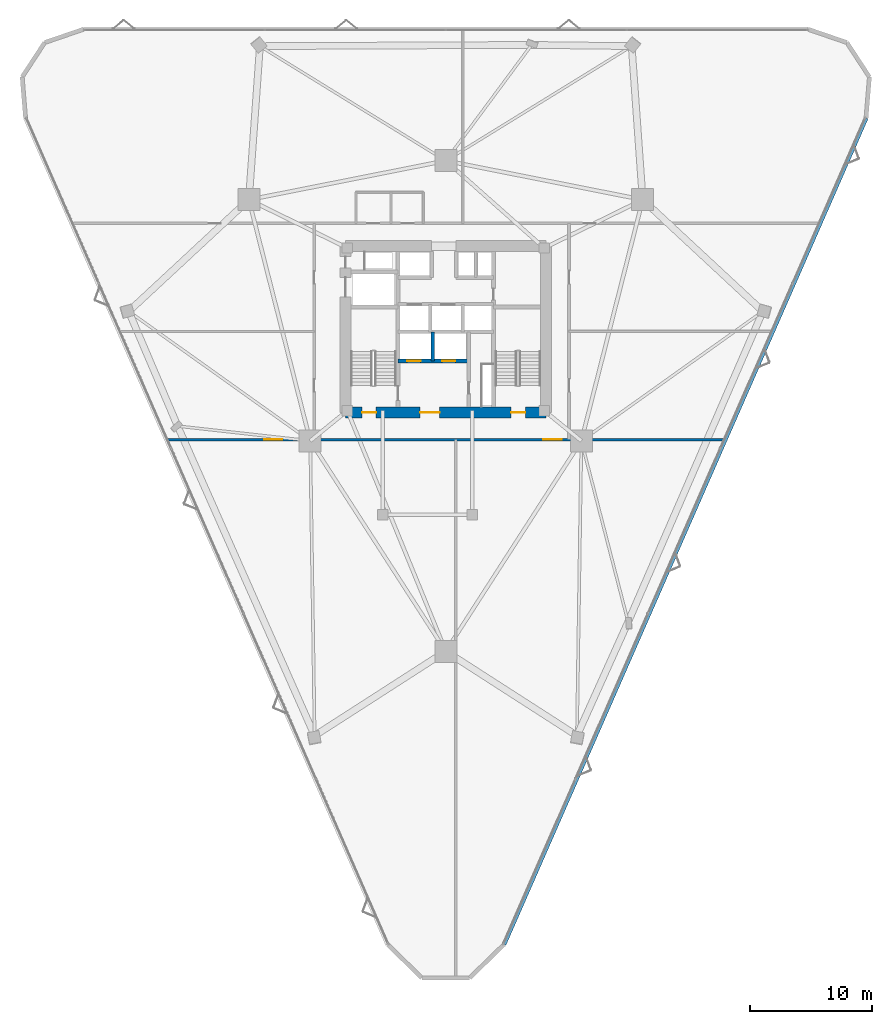
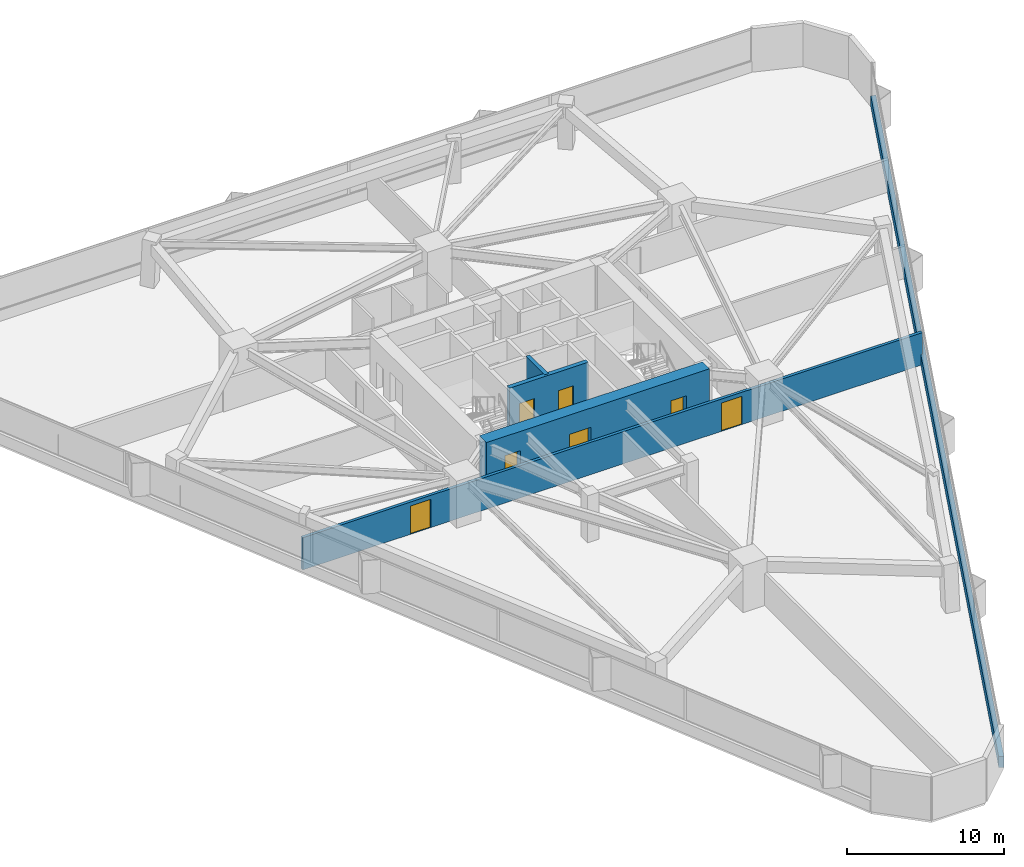
# One storey, part 18 of 20: 7 doors, 5 walls, 7 openings.
"""IFC4 building model written with IfcOpenShell, lengths in metres."""

from ifc_helpers import new_model, si_unit, direction, frame, frame_2d, origin, place, context, subcontext, project, spatial, rectangle, extrude, material, layer, layer_set, type_object, element, fill, save


model = new_model("IFC4")

# Units and contexts
model_context = context("Model", 3, precision=1e-05, world=origin(), true_north=direction((0.0, 1.0)))
body_context = subcontext(model_context, "Body", "Model", "MODEL_VIEW")
ifc_project = project(units=[si_unit("LENGTHUNIT", "METRE"), si_unit("AREAUNIT", "SQUARE_METRE"), si_unit("VOLUMEUNIT", "CUBIC_METRE"), si_unit("PLANEANGLEUNIT", "RADIAN"), si_unit("MASSUNIT", "GRAM", prefix="KILO")], contexts=[model_context])

# Site, building, storey
site_placement = place(None, origin())
site = spatial("IfcSite", under=ifc_project, at=site_placement, CompositionType="ELEMENT")
building_placement = place(site_placement, origin())
building = spatial("IfcBuilding", under=site, at=building_placement, Name="Talyreon Biosciences Tower", CompositionType="ELEMENT")
storey_placement = place(building_placement, frame((0.0, 0.0, 30.10009765625)))
storey = spatial("IfcBuildingStorey", under=building, at=storey_placement, Name="L07", CompositionType="ELEMENT", Elevation=30.10009765625)

# Wall
ifc_material_1 = material(Name="Concrete C50/60", Category="concrete")
ifc_layer_1 = layer(ifc_material_1, 0.280029296875)
ifc_layer_set_1 = layer_set([ifc_layer_1], Name="Concrete C50/60")
wall_type_1 = type_object("IfcWallType", Name="CoreShearWall_280", PredefinedType="SHEAR", material=ifc_layer_set_1)
wall_1_placement = place(storey_placement, frame((64.919921875, 65.39990234375, 0.0), z_axis=(0.0, 0.0, 1.0), x_axis=(0.0, 1.0, 0.0)))
element("IfcWall", 1, at=wall_1_placement, inside=storey, type_object=wall_type_1, Name="L07 Core Shaft Wall SWSHD1", PredefinedType="SHEAR", context=body_context, shape_type="SweptSolid", body=[
    extrude(rectangle(XDim=2.400146484375, YDim=0.280029296875, at=frame_2d((1.2001953125, 0.0))), origin(), (0.0, 0.0, 1.0), 3.64990234375),
])

# Wall, openings, doors
ifc_layer_2 = layer(ifc_material_1, 0.320068359375)
ifc_layer_set_2 = layer_set([ifc_layer_2], Name="Concrete C50/60")
wall_type_2 = type_object("IfcWallType", Name="CoreShearWall_320", PredefinedType="SHEAR", material=ifc_layer_set_2)
wall_2_placement = place(storey_placement, frame((62.090087890625, 65.39990234375, 0.0), z_axis=(0.0, 0.0, 1.0), x_axis=(1.0, 0.0, 0.0)))
wall_2 = element("IfcWall", 2, at=wall_2_placement, inside=storey, type_object=wall_type_2, Name="L07 Core Shaft Wall SWFFN", PredefinedType="SHEAR", context=body_context, shape_type="SweptSolid", body=[
    extrude(rectangle(XDim=5.789794921875, YDim=0.320068359375, at=frame_2d((2.89501953125, 0.0))), origin(), (0.0, 0.0, 1.0), 3.64990234375),
])
opening_1_placement = place(wall_2_placement, frame((0.75, 0.0, 0.0)))
opening_1 = element("IfcOpeningElement", 3, at=opening_1_placement, cuts=wall_2, Name="Opening LD-L07-FL1", PredefinedType="OPENING", context=body_context, shape_type="SweptSolid", body=[
    extrude(rectangle(XDim=1.10009765625, YDim=2.199951171875, at=frame_2d((0.550048828125, 1.10009765625))), frame((0.0, 0.169921875, 0.0), z_axis=(0.0, -1.0, 0.0), x_axis=(1.0, 0.0, 0.0)), (0.0, 0.0, 1.0), 0.340087890625),
])
opening_2_placement = place(wall_2_placement, frame((3.60009765625, 0.0, 0.0)))
opening_2 = element("IfcOpeningElement", 4, at=opening_2_placement, cuts=wall_2, Name="Opening LD-L07-FL2", PredefinedType="OPENING", context=body_context, shape_type="SweptSolid", body=[
    extrude(rectangle(XDim=1.10009765625, YDim=2.199951171875, at=frame_2d((0.550048828125, 1.10009765625))), frame((0.0, 0.169921875, 0.0), z_axis=(0.0, -1.0, 0.0), x_axis=(1.0, 0.0, 0.0)), (0.0, 0.0, 1.0), 0.340087890625),
])
ifc_material_2 = material(Name="Brushed stainless-steel lift landing door", Category="steel")
door_type_1 = type_object("IfcDoorType", Name="LiftSlidingLandingDoor_1100x2200", OperationType="SLIDING_TO_LEFT", PredefinedType="DOOR", material=ifc_material_2)
door_1_placement = place(opening_1_placement, origin())
door_1 = element("IfcDoor", 5, at=door_1_placement, inside=storey, type_object=door_type_1, Name="L07 Core Door LD-L07-FL1", OperationType="SLIDING_TO_LEFT", OverallHeight=2.199951171875, OverallWidth=1.10009765625, PredefinedType="DOOR", context=body_context, shape_type="SweptSolid", body=[
    extrude(rectangle(XDim=1.10009765625, YDim=2.199951171875, at=frame_2d((0.550048828125, 1.10009765625))), frame((0.0, 0.02490234375, 0.0), z_axis=(0.0, -1.0, 0.0), x_axis=(1.0, 0.0, 0.0)), (0.0, 0.0, 1.0), 0.050048828125),
])
fill(opening_1, door_1)
door_2_placement = place(opening_2_placement, origin())
door_2 = element("IfcDoor", 6, at=door_2_placement, inside=storey, type_object=door_type_1, Name="L07 Core Door LD-L07-FL2", OperationType="SLIDING_TO_LEFT", OverallHeight=2.199951171875, OverallWidth=1.10009765625, PredefinedType="DOOR", context=body_context, shape_type="SweptSolid", body=[
    extrude(rectangle(XDim=1.10009765625, YDim=2.199951171875, at=frame_2d((0.550048828125, 1.10009765625))), frame((0.0, 0.02490234375, 0.0), z_axis=(0.0, -1.0, 0.0), x_axis=(1.0, 0.0, 0.0)), (0.0, 0.0, 1.0), 0.050048828125),
])
fill(opening_2, door_2)

ifc_material_3 = material(Name="Concrete C60/75", Category="concrete")
ifc_layer_3 = layer(ifc_material_3, 0.89990234375)
ifc_layer_set_3 = layer_set([ifc_layer_3], Name="Concrete C60/75")
wall_type_3 = type_object("IfcWallType", Name="CoreShearWall_900", PredefinedType="SHEAR", material=ifc_layer_set_3)
wall_3_placement = place(storey_placement, frame((57.800048828125, 61.199951171875, 0.0), z_axis=(0.0, 0.0, 1.0), x_axis=(1.0, 0.0, 0.0)))
wall_3 = element("IfcWall", 7, at=wall_3_placement, inside=storey, type_object=wall_type_3, Name="L07 Core Shear Wall S", PredefinedType="SHEAR", context=body_context, shape_type="SweptSolid", body=[
    extrude(rectangle(XDim=16.39990234375, YDim=0.89990234375, at=frame_2d((8.199951171875, 0.0))), origin(), (0.0, 0.0, 1.0), 3.64990234375),
])
opening_3_placement = place(wall_3_placement, frame((1.35009765625, 0.0, 0.0)))
opening_3 = element("IfcOpeningElement", 8, at=opening_3_placement, cuts=wall_3, Name="Opening DR-L07-ST1", PredefinedType="OPENING", context=body_context, shape_type="SweptSolid", body=[
    extrude(rectangle(XDim=1.14990234375, YDim=2.14990234375, at=frame_2d((0.574951171875, 1.074951171875))), frame((0.0, 0.4599609375, 0.0), z_axis=(0.0, -1.0, 0.0), x_axis=(1.0, 0.0, 0.0)), (0.0, 0.0, 1.0), 0.919921875),
])
opening_4_placement = place(wall_3_placement, frame((6.10009765625, 0.0, 0.0)))
opening_4 = element("IfcOpeningElement", 9, at=opening_4_placement, cuts=wall_3, Name="Opening DR-L07-FFL", PredefinedType="OPENING", context=body_context, shape_type="SweptSolid", body=[
    extrude(rectangle(XDim=1.60009765625, YDim=2.14990234375, at=frame_2d((0.800048828125, 1.074951171875))), frame((0.0, 0.4599609375, 0.0), z_axis=(0.0, -1.0, 0.0), x_axis=(1.0, 0.0, 0.0)), (0.0, 0.0, 1.0), 0.919921875),
])
opening_5_placement = place(wall_3_placement, frame((13.550048828125, 0.0, 0.0)))
opening_5 = element("IfcOpeningElement", 10, at=opening_5_placement, cuts=wall_3, Name="Opening DR-L07-ST2", PredefinedType="OPENING", context=body_context, shape_type="SweptSolid", body=[
    extrude(rectangle(XDim=1.14990234375, YDim=2.14990234375, at=frame_2d((0.574951171875, 1.074951171875))), frame((0.0, 0.4599609375, 0.0), z_axis=(0.0, -1.0, 0.0), x_axis=(1.0, 0.0, 0.0)), (0.0, 0.0, 1.0), 0.919921875),
])
ifc_material_4 = material(Name="Painted steel smoke-seal fire door", Category="steel")
door_type_2 = type_object("IfcDoorType", Name="FirefightingLobbyDoubleDoor_1600x2150", OperationType="DOUBLE_DOOR_SINGLE_SWING", PredefinedType="DOOR", material=ifc_material_4)
door_3_placement = place(opening_4_placement, origin())
door_3 = element("IfcDoor", 11, at=door_3_placement, inside=storey, type_object=door_type_2, Name="L07 Core Door DR-L07-FFL", OperationType="DOUBLE_DOOR_SINGLE_SWING", OverallHeight=2.14990234375, OverallWidth=1.60009765625, PredefinedType="DOOR", context=body_context, shape_type="SweptSolid", body=[
    extrude(rectangle(XDim=1.60009765625, YDim=2.14990234375, at=frame_2d((0.800048828125, 1.074951171875))), frame((0.0, 0.02490234375, 0.0), z_axis=(0.0, -1.0, 0.0), x_axis=(1.0, 0.0, 0.0)), (0.0, 0.0, 1.0), 0.050048828125),
])
fill(opening_4, door_3)
ifc_material_5 = material(Name="Painted steel fire door", Category="steel")
door_type_3 = type_object("IfcDoorType", Name="StairShaftFireDoor_1150x2150", OperationType="NOTDEFINED", PredefinedType="DOOR", material=ifc_material_5)
door_4_placement = place(opening_3_placement, origin())
door_4 = element("IfcDoor", 12, at=door_4_placement, inside=storey, type_object=door_type_3, Name="L07 Core Door DR-L07-ST1", OperationType="SINGLE_SWING_LEFT", OverallHeight=2.14990234375, OverallWidth=1.14990234375, PredefinedType="DOOR", context=body_context, shape_type="SweptSolid", body=[
    extrude(rectangle(XDim=1.14990234375, YDim=2.14990234375, at=frame_2d((0.574951171875, 1.074951171875))), frame((0.0, 0.02490234375, 0.0), z_axis=(0.0, -1.0, 0.0), x_axis=(1.0, 0.0, 0.0)), (0.0, 0.0, 1.0), 0.050048828125),
])
fill(opening_3, door_4)
door_5_placement = place(opening_5_placement, origin())
door_5 = element("IfcDoor", 13, at=door_5_placement, inside=storey, type_object=door_type_3, Name="L07 Core Door DR-L07-ST2", OperationType="SINGLE_SWING_RIGHT", OverallHeight=2.14990234375, OverallWidth=1.14990234375, PredefinedType="DOOR", context=body_context, shape_type="SweptSolid", body=[
    extrude(rectangle(XDim=1.14990234375, YDim=2.14990234375, at=frame_2d((0.574951171875, 1.074951171875))), frame((0.0, 0.02490234375, 0.0), z_axis=(0.0, -1.0, 0.0), x_axis=(1.0, 0.0, 0.0)), (0.0, 0.0, 1.0), 0.050048828125),
])
fill(opening_5, door_5)

ifc_material_6 = material(Name="Gypsum fireboard acoustic stud", Category="gypsum")
ifc_layer_4 = layer(ifc_material_6, 0.219970703125)
ifc_layer_set_4 = layer_set([ifc_layer_4], Name="Gypsum fireboard acoustic stud")
wall_type_4 = type_object("IfcWallType", Name="CorridorRatedPartition_220", PredefinedType="PARTITIONING", material=ifc_layer_set_4)
wall_4_placement = place(storey_placement, frame((43.237060546875, 58.97998046875, 0.0), z_axis=(0.0, 0.0, 1.0), x_axis=(1.0, 0.0, 0.0)))
wall_4 = element("IfcWall", 14, at=wall_4_placement, inside=storey, type_object=wall_type_4, Name="L07 Interior Wall IW-L07-COR-S", PredefinedType="PARTITIONING", context=body_context, shape_type="SweptSolid", body=[
    extrude(rectangle(XDim=45.52587890625, YDim=0.219970703125, at=frame_2d((22.762939453125, 0.0))), origin(), (0.0, 0.0, 1.0), 2.5048828125),
])
opening_6_placement = place(wall_4_placement, frame((7.90087890625, 0.0, 0.0)))
opening_6 = element("IfcOpeningElement", 15, at=opening_6_placement, cuts=wall_4, Name="Opening DR-L07-S1A", PredefinedType="OPENING", context=body_context, shape_type="SweptSolid", body=[
    extrude(rectangle(XDim=1.5, YDim=2.199951171875, at=frame_2d((0.75, 1.10009765625))), frame((0.0, 0.119873046875, 0.0), z_axis=(0.0, -1.0, 0.0), x_axis=(1.0, 0.0, 0.0)), (0.0, 0.0, 1.0), 0.239990234375),
])
opening_7_placement = place(wall_4_placement, frame((30.7529296875, 0.0, 0.0)))
opening_7 = element("IfcOpeningElement", 16, at=opening_7_placement, cuts=wall_4, Name="Opening DR-L07-S2A", PredefinedType="OPENING", context=body_context, shape_type="SweptSolid", body=[
    extrude(rectangle(XDim=1.5, YDim=2.199951171875, at=frame_2d((0.75, 1.10009765625))), frame((0.0, 0.119873046875, 0.0), z_axis=(0.0, -1.0, 0.0), x_axis=(1.0, 0.0, 0.0)), (0.0, 0.0, 1.0), 0.239990234375),
])
ifc_material_7 = material(Name="Vision-panel steel laboratory fire door", Category="steel")
door_type_4 = type_object("IfcDoorType", Name="WetLabDoubleLeafDoor_1500x2200", OperationType="DOUBLE_DOOR_SINGLE_SWING", PredefinedType="DOOR", material=ifc_material_7)
door_6_placement = place(opening_6_placement, origin())
door_6 = element("IfcDoor", 17, at=door_6_placement, inside=storey, type_object=door_type_4, Name="L07 Interior Door DR-L07-S1A", OperationType="DOUBLE_DOOR_SINGLE_SWING", OverallHeight=2.199951171875, OverallWidth=1.5, PredefinedType="DOOR", context=body_context, shape_type="SweptSolid", body=[
    extrude(rectangle(XDim=1.5, YDim=2.199951171875, at=frame_2d((0.75, 1.10009765625))), frame((0.0, 0.02490234375, 0.0), z_axis=(0.0, -1.0, 0.0), x_axis=(1.0, 0.0, 0.0)), (0.0, 0.0, 1.0), 0.050048828125),
])
fill(opening_6, door_6)
door_7_placement = place(opening_7_placement, origin())
door_7 = element("IfcDoor", 18, at=door_7_placement, inside=storey, type_object=door_type_4, Name="L07 Interior Door DR-L07-S2A", OperationType="DOUBLE_DOOR_SINGLE_SWING", OverallHeight=2.199951171875, OverallWidth=1.5, PredefinedType="DOOR", context=body_context, shape_type="SweptSolid", body=[
    extrude(rectangle(XDim=1.5, YDim=2.199951171875, at=frame_2d((0.75, 1.10009765625))), frame((0.0, 0.02490234375, 0.0), z_axis=(0.0, -1.0, 0.0), x_axis=(1.0, 0.0, 0.0)), (0.0, 0.0, 1.0), 0.050048828125),
])
fill(opening_7, door_7)

# Wall
ifc_material_8 = material(Name="Precast concrete C45/55", Category="concrete")
ifc_layer_5 = layer(ifc_material_8, 0.340087890625)
ifc_layer_set_5 = layer_set([ifc_layer_5], Name="Precast concrete C45/55")
wall_type_5 = type_object("IfcWallType", Name="PrecastConcreteSpandrelWall_340", PredefinedType="STANDARD", material=ifc_layer_set_5)
wall_5_placement = place(storey_placement, frame((100.37451171875, 85.267333984375, 0.0), z_axis=(0.0, 0.0, 1.0), x_axis=(-0.401347685244, -0.91592578059, 0.0)))
element("IfcWall", 19, at=wall_5_placement, inside=storey, type_object=wall_type_5, Name="L07 Expressed Concrete Sill Wall 08", PredefinedType="STANDARD", context=body_context, shape_type="SweptSolid", body=[
    extrude(rectangle(XDim=73.781005859375, YDim=0.340087890625, at=frame_2d((36.890625, 0.0))), origin(), (0.0, 0.0, 1.0), 0.849853515625),
])

save(model, "model.ifc")
